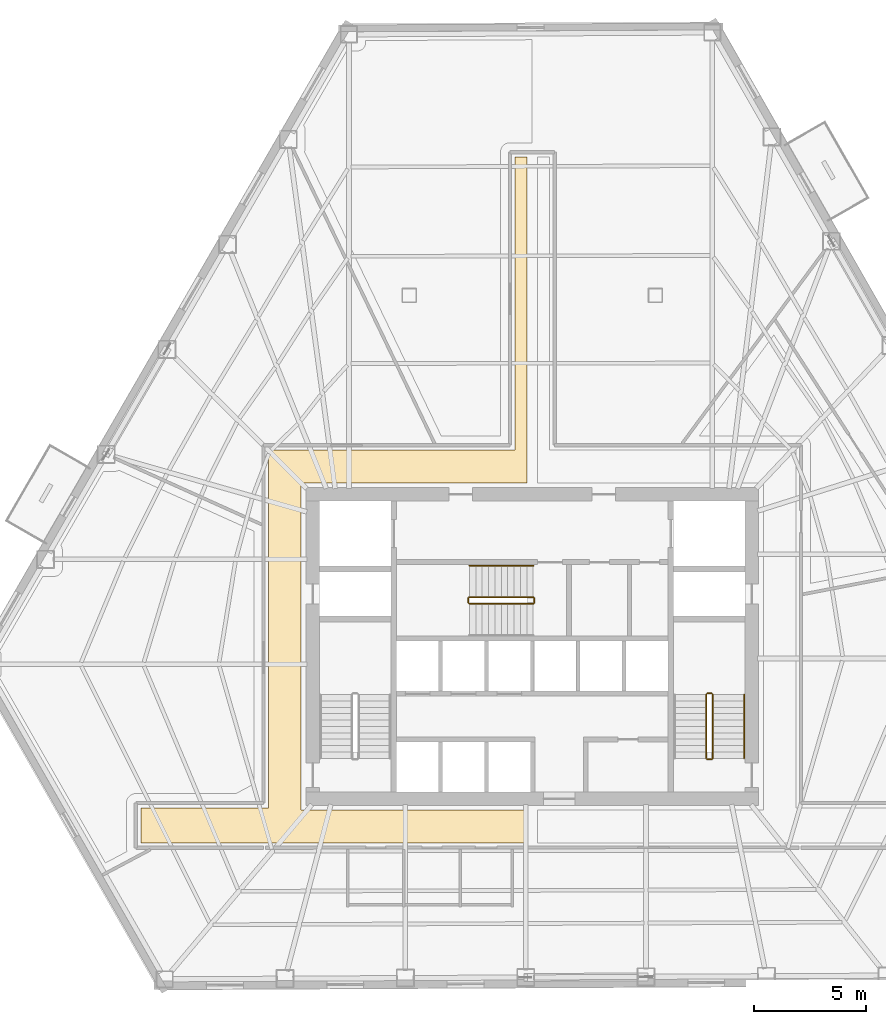
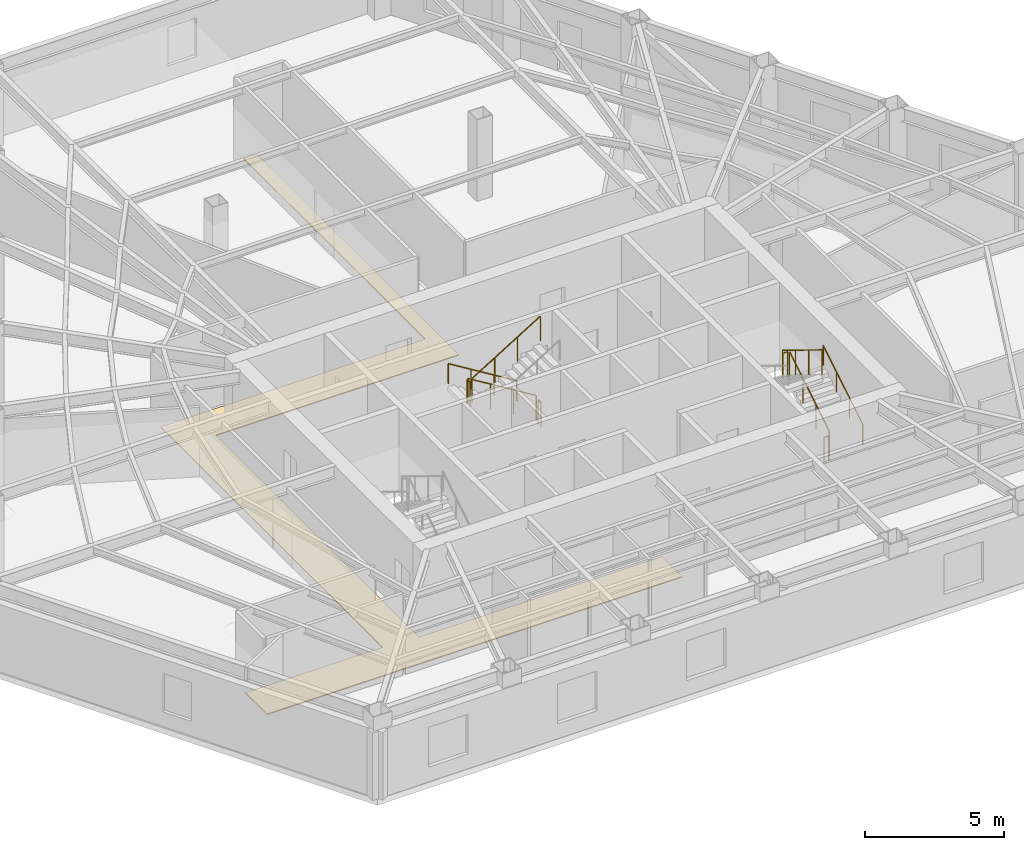
# One storey, part 10 of 11: 10 railings, 1 covering.
"""IFC4 building model written with IfcOpenShell, lengths in metres."""

from ifc_helpers import new_model, si_unit, direction, frame, origin, origin_2d, place, context, subcontext, project, spatial, polyline, circle, outline, extrude, material, layer, layer_set, type_object, element, save


model = new_model("IFC4")

# Units and contexts
model_context = context("Model", 3, precision=1e-05, world=origin(), true_north=direction((0.0, 1.0)))
body_context = subcontext(model_context, "Body", "Model", "MODEL_VIEW")
ifc_project = project(units=[si_unit("LENGTHUNIT", "METRE"), si_unit("AREAUNIT", "SQUARE_METRE"), si_unit("VOLUMEUNIT", "CUBIC_METRE"), si_unit("PLANEANGLEUNIT", "RADIAN"), si_unit("MASSUNIT", "GRAM", prefix="KILO")], contexts=[model_context])

# Site, building, storey
site_placement = place(None, origin())
site = spatial("IfcSite", under=ifc_project, at=site_placement, CompositionType="ELEMENT")
building_placement = place(site_placement, origin())
building = spatial("IfcBuilding", under=site, at=building_placement, Name="Kavelnor Concourse Tower", CompositionType="ELEMENT")
storey_placement = place(building_placement, frame((0.0, 0.0, 9.85009765625)))
storey = spatial("IfcBuildingStorey", under=building, at=storey_placement, Name="L02", CompositionType="ELEMENT", Elevation=9.85009765625)

# Covering
ifc_material_1 = material(Name="Honed bluestone and raised access floor finish", Category="masonry")
ifc_layer = layer(ifc_material_1, 0.0400390625, Name="Honed bluestone and raised access floor finish")
ifc_layer_set = layer_set([ifc_layer], Name="Honed bluestone and raised access floor finish")
covering_type = type_object("IfcCoveringType", Name="COV-FLOOR-STONE", PredefinedType="FLOORING", material=ifc_layer_set)
covering_placement = place(storey_placement, frame((0.0, 0.0, 0.001953125)))
element("IfcCovering", 1, at=covering_placement, inside=storey, type_object=covering_type, Name="L02 Honed Bluestone Floor Finish", PredefinedType="FLOORING", context=body_context, shape_type="SweptSolid", body=[
    extrude(outline(polyline([(37.219970703125, 37.97998046875), (37.77490234375, 37.97998046875), (37.77490234375, 23.419921875), (27.659912109375, 23.419921875), (27.659912109375, 8.780029296875), (37.77490234375, 8.780029296875), (37.77490234375, 7.320068359375), (20.49462890625, 7.320068359375), (20.49462890625, 8.8798828125), (26.199951171875, 8.8798828125), (26.199951171875, 24.8798828125), (37.219970703125, 24.8798828125), (37.219970703125, 37.97998046875)])), origin(), (0.0, 0.0, 1.0), 0.0400390625),
])

# Railings
ifc_material_2 = material(Name="Steel Grade 350", Category="steel")
railing_type_1 = type_object("IfcRailingType", Name="RLG-GUARD-1100", PredefinedType="GUARDRAIL", material=ifc_material_2)
railing_1_placement = place(storey_placement, frame((46.070068359375, 11.10009765625, 0.1748046875)))
element("IfcRailing", 2, at=railing_1_placement, inside=storey, type_object=railing_type_1, Name="L02 ST2 stair guard 1", PredefinedType="GUARDRAIL", context=body_context, shape_type="SweptSolid", body=[
    extrude(circle(Radius=0.02392578125, at=origin_2d()), frame((0.0, 0.0, 1.076171875), z_axis=(0.0, 0.852159232446, 0.523282564737), x_axis=(-1.0, 0.0, 0.0)), (0.0, 0.0, 1.0), 3.34423828125),
    extrude(circle(Radius=0.02099609375, at=origin_2d()), origin(), (0.0, 0.0, 1.0), 1.052001953125),
    extrude(circle(Radius=0.02099609375, at=origin_2d()), frame((0.0, 0.949951171875, 0.583251953125)), (0.0, 0.0, 1.0), 1.052001953125),
    extrude(circle(Radius=0.02099609375, at=origin_2d()), frame((0.0, 1.89990234375, 1.166748046875)), (0.0, 0.0, 1.0), 1.052001953125),
    extrude(circle(Radius=0.02099609375, at=origin_2d()), frame((0.0, 2.849853515625, 1.75)), (0.0, 0.0, 1.0), 1.052001953125),
])
railing_2_placement = place(storey_placement, frame((46.02001953125, 14.0, 1.9248046875)))
element("IfcRailing", 3, at=railing_2_placement, inside=storey, type_object=railing_type_1, Name="L02 ST2 stair guard 2", PredefinedType="GUARDRAIL", context=body_context, shape_type="SweptSolid", body=[
    extrude(circle(Radius=0.02392578125, at=origin_2d()), frame((0.0, 0.0, 1.076171875), z_axis=(-1.0, 0.0, 0.0), x_axis=(0.0, -1.0, 0.0)), (0.0, 0.0, 1.0), 0.199951171875),
    extrude(circle(Radius=0.02099609375, at=origin_2d()), origin(), (0.0, 0.0, 1.0), 1.052001953125),
    extrude(circle(Radius=0.02099609375, at=origin_2d()), frame((-0.199951171875, 0.0, 0.0)), (0.0, 0.0, 1.0), 1.052001953125),
])
railing_3_placement = place(storey_placement, frame((45.77001953125, 13.949951171875, 2.099853515625)))
element("IfcRailing", 4, at=railing_3_placement, inside=storey, type_object=railing_type_1, Name="L02 ST2 stair guard 3", PredefinedType="GUARDRAIL", context=body_context, shape_type="SweptSolid", body=[
    extrude(circle(Radius=0.02392578125, at=origin_2d()), frame((0.0, 0.0, 1.076171875), z_axis=(0.0, -0.852159232446, 0.523282564737), x_axis=(1.0, 0.0, 0.0)), (0.0, 0.0, 1.0), 3.34423828125),
    extrude(circle(Radius=0.02099609375, at=origin_2d()), origin(), (0.0, 0.0, 1.0), 1.052001953125),
    extrude(circle(Radius=0.02099609375, at=origin_2d()), frame((0.0, -0.949951171875, 0.583251953125)), (0.0, 0.0, 1.0), 1.052001953125),
    extrude(circle(Radius=0.02099609375, at=origin_2d()), frame((0.0, -1.89990234375, 1.166748046875)), (0.0, 0.0, 1.0), 1.052001953125),
    extrude(circle(Radius=0.02099609375, at=origin_2d()), frame((0.0, -2.849853515625, 1.75)), (0.0, 0.0, 1.0), 1.052001953125),
])
railing_4_placement = place(storey_placement, frame((46.02001953125, 11.050048828125, 0.0)))
element("IfcRailing", 5, at=railing_4_placement, inside=storey, type_object=railing_type_1, Name="L02 ST2 stair guard 4", PredefinedType="GUARDRAIL", context=body_context, shape_type="SweptSolid", body=[
    extrude(circle(Radius=0.02392578125, at=origin_2d()), frame((0.0, 0.0, 1.076171875), z_axis=(-1.0, 0.0, 0.0), x_axis=(0.0, -1.0, 0.0)), (0.0, 0.0, 1.0), 0.199951171875),
    extrude(circle(Radius=0.02099609375, at=origin_2d()), origin(), (0.0, 0.0, 1.0), 1.052001953125),
    extrude(circle(Radius=0.02099609375, at=origin_2d()), frame((-0.199951171875, 0.0, 0.0)), (0.0, 0.0, 1.0), 1.052001953125),
])
railing_5_placement = place(storey_placement, frame((38.0400390625, 18.31005859375, 0.1748046875)))
element("IfcRailing", 6, at=railing_5_placement, inside=storey, type_object=railing_type_1, Name="L02 ST3 stair guard 1", PredefinedType="GUARDRAIL", context=body_context, shape_type="SweptSolid", body=[
    extrude(circle(Radius=0.02392578125, at=origin_2d()), frame((0.0, 0.0, 1.076171875), z_axis=(-0.852179220489, 0.0, 0.52325001306), x_axis=(0.0, -1.0, 0.0)), (0.0, 0.0, 1.0), 3.344482421875),
    extrude(circle(Radius=0.02099609375, at=origin_2d()), origin(), (0.0, 0.0, 1.0), 1.052001953125),
    extrude(circle(Radius=0.02099609375, at=origin_2d()), frame((-0.949951171875, 0.0, 0.583251953125)), (0.0, 0.0, 1.0), 1.052001953125),
    extrude(circle(Radius=0.02099609375, at=origin_2d()), frame((-1.900146484375, 0.0, 1.166748046875)), (0.0, 0.0, 1.0), 1.052001953125),
    extrude(circle(Radius=0.02099609375, at=origin_2d()), frame((-2.85009765625, 0.0, 1.75)), (0.0, 0.0, 1.0), 1.052001953125),
])
railing_6_placement = place(storey_placement, frame((35.139892578125, 18.260009765625, 1.9248046875)))
element("IfcRailing", 7, at=railing_6_placement, inside=storey, type_object=railing_type_1, Name="L02 ST3 stair guard 2", PredefinedType="GUARDRAIL", context=body_context, shape_type="SweptSolid", body=[
    extrude(circle(Radius=0.02392578125, at=origin_2d()), frame((0.0, 0.0, 1.076171875), z_axis=(0.0, -1.0, 0.0), x_axis=(1.0, 0.0, 0.0)), (0.0, 0.0, 1.0), 0.199951171875),
    extrude(circle(Radius=0.02099609375, at=origin_2d()), origin(), (0.0, 0.0, 1.0), 1.052001953125),
    extrude(circle(Radius=0.02099609375, at=origin_2d()), frame((0.0, -0.199951171875, 0.0)), (0.0, 0.0, 1.0), 1.052001953125),
])
railing_7_placement = place(storey_placement, frame((35.18994140625, 18.010009765625, 2.099853515625)))
element("IfcRailing", 8, at=railing_7_placement, inside=storey, type_object=railing_type_1, Name="L02 ST3 stair guard 3", PredefinedType="GUARDRAIL", context=body_context, shape_type="SweptSolid", body=[
    extrude(circle(Radius=0.02392578125, at=origin_2d()), frame((0.0, 0.0, 1.076171875), z_axis=(0.852179220489, 0.0, 0.52325001306), x_axis=(0.0, 1.0, 0.0)), (0.0, 0.0, 1.0), 3.344482421875),
    extrude(circle(Radius=0.02099609375, at=origin_2d()), origin(), (0.0, 0.0, 1.0), 1.052001953125),
    extrude(circle(Radius=0.02099609375, at=origin_2d()), frame((0.949951171875, 0.0, 0.583251953125)), (0.0, 0.0, 1.0), 1.052001953125),
    extrude(circle(Radius=0.02099609375, at=origin_2d()), frame((1.900146484375, 0.0, 1.166748046875)), (0.0, 0.0, 1.0), 1.052001953125),
    extrude(circle(Radius=0.02099609375, at=origin_2d()), frame((2.85009765625, 0.0, 1.75)), (0.0, 0.0, 1.0), 1.052001953125),
])
railing_8_placement = place(storey_placement, frame((38.090087890625, 18.260009765625, 0.0)))
element("IfcRailing", 9, at=railing_8_placement, inside=storey, type_object=railing_type_1, Name="L02 ST3 stair guard 4", PredefinedType="GUARDRAIL", context=body_context, shape_type="SweptSolid", body=[
    extrude(circle(Radius=0.02392578125, at=origin_2d()), frame((0.0, 0.0, 1.076171875), z_axis=(0.0, -1.0, 0.0), x_axis=(1.0, 0.0, 0.0)), (0.0, 0.0, 1.0), 0.199951171875),
    extrude(circle(Radius=0.02099609375, at=origin_2d()), origin(), (0.0, 0.0, 1.0), 1.052001953125),
    extrude(circle(Radius=0.02099609375, at=origin_2d()), frame((0.0, -0.199951171875, 0.0)), (0.0, 0.0, 1.0), 1.052001953125),
])
railing_type_2 = type_object("IfcRailingType", Name="RLG-HANDRAIL-900", PredefinedType="HANDRAIL", material=ifc_material_2)
railing_9_placement = place(storey_placement, frame((47.469970703125, 11.10009765625, 0.1748046875)))
element("IfcRailing", 10, at=railing_9_placement, inside=storey, type_object=railing_type_2, Name="L02 ST2 stair handrail 1", PredefinedType="HANDRAIL", context=body_context, shape_type="SweptSolid", body=[
    extrude(circle(Radius=0.02392578125, at=origin_2d()), frame((0.0, 0.0, 0.8759765625), z_axis=(0.0, 0.852159232446, 0.523282564737), x_axis=(-1.0, 0.0, 0.0)), (0.0, 0.0, 1.0), 3.34423828125),
    extrude(circle(Radius=0.02099609375, at=origin_2d()), origin(), (0.0, 0.0, 1.0), 0.851806640625),
    extrude(circle(Radius=0.02099609375, at=origin_2d()), frame((0.0, 0.949951171875, 0.583251953125)), (0.0, 0.0, 1.0), 0.851806640625),
    extrude(circle(Radius=0.02099609375, at=origin_2d()), frame((0.0, 1.89990234375, 1.166748046875)), (0.0, 0.0, 1.0), 0.851806640625),
    extrude(circle(Radius=0.02099609375, at=origin_2d()), frame((0.0, 2.849853515625, 1.75)), (0.0, 0.0, 1.0), 0.851806640625),
])
railing_10_placement = place(storey_placement, frame((38.0400390625, 19.7099609375, 0.1748046875)))
element("IfcRailing", 11, at=railing_10_placement, inside=storey, type_object=railing_type_2, Name="L02 ST3 stair handrail 1", PredefinedType="HANDRAIL", context=body_context, shape_type="SweptSolid", body=[
    extrude(circle(Radius=0.02392578125, at=origin_2d()), frame((0.0, 0.0, 0.8759765625), z_axis=(-0.852179220489, 0.0, 0.52325001306), x_axis=(0.0, -1.0, 0.0)), (0.0, 0.0, 1.0), 3.344482421875),
    extrude(circle(Radius=0.02099609375, at=origin_2d()), origin(), (0.0, 0.0, 1.0), 0.851806640625),
    extrude(circle(Radius=0.02099609375, at=origin_2d()), frame((-0.949951171875, 0.0, 0.583251953125)), (0.0, 0.0, 1.0), 0.851806640625),
    extrude(circle(Radius=0.02099609375, at=origin_2d()), frame((-1.900146484375, 0.0, 1.166748046875)), (0.0, 0.0, 1.0), 0.851806640625),
    extrude(circle(Radius=0.02099609375, at=origin_2d()), frame((-2.85009765625, 0.0, 1.75)), (0.0, 0.0, 1.0), 0.851806640625),
])

save(model, "model.ifc")
